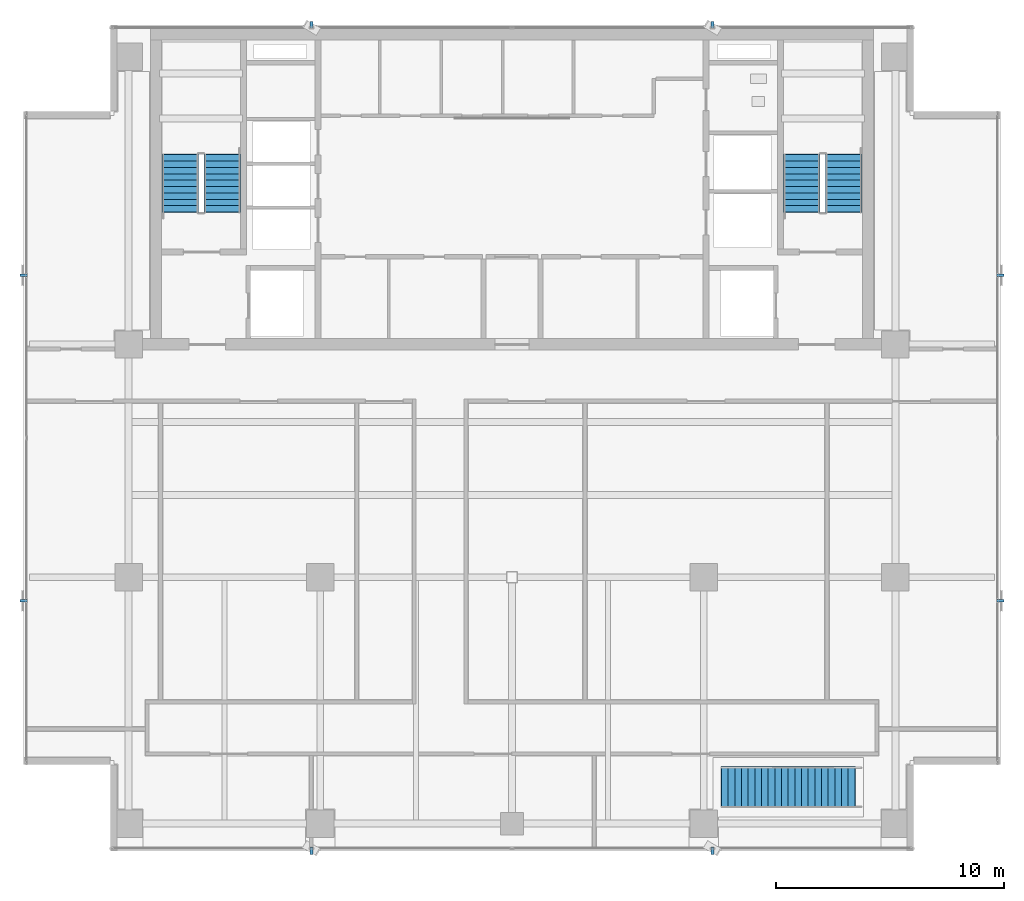
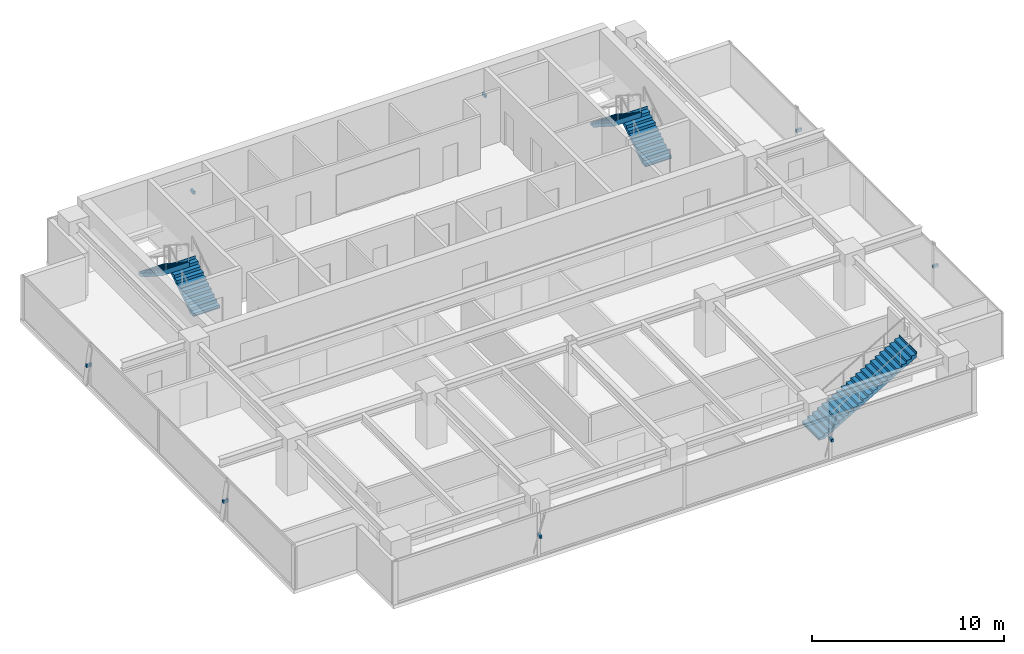
# One storey, part 17 of 22: 8 discrete accessories, 5 stair flights, 3 elements without a shape of their own.
"""IFC4 building model written with IfcOpenShell, lengths in metres."""

from ifc_helpers import new_model, si_unit, direction, frame, origin, origin_2d, place, context, subcontext, project, spatial, polyline, rectangle, outline, extrude, source, transform, mapped, material, material_profile, profile_set, type_object, element, aggregate, save


model = new_model("IFC4")

# Units and contexts
model_context = context("Model", 3, precision=1e-05, world=origin(), true_north=direction((0.0, 1.0)))
body_context = subcontext(model_context, "Body", "Model", "MODEL_VIEW")
ifc_project = project(units=[si_unit("LENGTHUNIT", "METRE"), si_unit("AREAUNIT", "SQUARE_METRE"), si_unit("VOLUMEUNIT", "CUBIC_METRE"), si_unit("PLANEANGLEUNIT", "RADIAN"), si_unit("MASSUNIT", "GRAM", prefix="KILO")], contexts=[model_context])

# Site, building, storey
site_placement = place(None, origin())
site = spatial("IfcSite", under=ifc_project, at=site_placement, CompositionType="ELEMENT")
building_placement = place(site_placement, origin())
building = spatial("IfcBuilding", under=site, at=building_placement, Name="Sumidabori Civic Tower", CompositionType="ELEMENT")
storey_placement = place(building_placement, frame((0.0, 0.0, 286.39990234375)))
storey = spatial("IfcBuildingStorey", under=building, at=storey_placement, Name="L75", CompositionType="ELEMENT", Elevation=286.39990234375)

# Stair, stair flights
ifc_material_1 = material(Name="Concrete C40/50", Category="concrete")
stair_type_1 = type_object("IfcStairType", Name="ST-CORE-1600", PredefinedType="HALF_TURN_STAIR", material=ifc_material_1)
stair_1_placement = place(storey_placement, origin())
stair_1 = element("IfcStair", 1, at=stair_1_placement, inside=storey, type_object=stair_type_1, Name="L75 ST-1", PredefinedType="HALF_TURN_STAIR")
stair_flight_type_1 = type_object("IfcStairFlightType", Name="SF-CORE-1600", PredefinedType="STRAIGHT", material=ifc_material_1)
shared_shape_1 = source(origin(), body_context, "Body", "SweptSolid", [
    extrude(outline(polyline([(-0.02490234375, 0.0), (-0.02490234375, 0.0400390625), (0.0, 0.0400390625), (0.0, 0.179931640625), (0.280029296875, 0.179931640625), (0.280029296875, 0.360107421875), (0.56005859375, 0.360107421875), (0.56005859375, 0.5400390625), (0.840087890625, 0.5400390625), (0.840087890625, 0.719970703125), (1.1201171875, 0.719970703125), (1.1201171875, 0.89990234375), (1.39990234375, 0.89990234375), (1.39990234375, 1.080078125), (1.679931640625, 1.080078125), (1.679931640625, 1.260009765625), (1.9599609375, 1.260009765625), (1.9599609375, 1.43994140625), (2.239990234375, 1.43994140625), (2.239990234375, 1.6201171875), (2.52001953125, 1.6201171875), (2.52001953125, 1.800048828125), (2.544921875, 1.800048828125), (2.544921875, 1.650146484375), (2.52001953125, 1.44189453125), (0.277099609375, 0.0), (-0.02490234375, 0.0)])), frame((0.0, 0.800048828125, 0.0), z_axis=(0.0, -1.0, 0.0), x_axis=(1.0, 0.0, 0.0)), (0.0, 0.0, 1.0), 1.60009765625),
])
stair_flight_1_placement = place(storey_placement, frame((-12.699951171875, 16.0, 0.0), z_axis=(0.0, 0.0, 1.0), x_axis=(0.0, 1.0, 0.0)))
stair_flight_1 = element("IfcStairFlight", 2, at=stair_flight_1_placement, type_object=stair_flight_type_1, Name="ST-1 flight 1", NumberOfRisers=10, NumberOfTreads=9, PredefinedType="STRAIGHT", RiserHeight=0.18, TreadLength=0.28, context=body_context, shape_type="MappedRepresentation", body=[
    mapped(shared_shape_1, transform((0.0, 0.0, 0.0), x_axis=(1.0, 0.0, 0.0), y_axis=(0.0, 1.0, 0.0), z_axis=(0.0, 0.0, 1.0), scale=1.0)),
])
stair_flight_2_placement = place(storey_placement, frame((-14.5400390625, 18.52001953125, 1.800048828125), z_axis=(0.0, 0.0, 1.0), x_axis=(0.0, -1.0, 0.0)))
stair_flight_2 = element("IfcStairFlight", 3, at=stair_flight_2_placement, type_object=stair_flight_type_1, Name="ST-1 flight 2", NumberOfRisers=10, NumberOfTreads=9, PredefinedType="STRAIGHT", RiserHeight=0.18, TreadLength=0.28, context=body_context, shape_type="MappedRepresentation", body=[
    mapped(shared_shape_1, transform((0.0, 0.0, 0.0), x_axis=(1.0, 0.0, 0.0), y_axis=(0.0, 1.0, 0.0), z_axis=(0.0, 0.0, 1.0), scale=1.0)),
])
aggregate(stair_1, [stair_flight_1, stair_flight_2])

stair_2_placement = place(storey_placement, origin())
stair_2 = element("IfcStair", 4, at=stair_2_placement, inside=storey, type_object=stair_type_1, Name="L75 ST-2", PredefinedType="HALF_TURN_STAIR")
stair_flight_3_placement = place(storey_placement, frame((14.5400390625, 16.0, 0.0), z_axis=(0.0, 0.0, 1.0), x_axis=(0.0, 1.0, 0.0)))
stair_flight_3 = element("IfcStairFlight", 5, at=stair_flight_3_placement, type_object=stair_flight_type_1, Name="ST-2 flight 1", NumberOfRisers=10, NumberOfTreads=9, PredefinedType="STRAIGHT", RiserHeight=0.18, TreadLength=0.28, context=body_context, shape_type="MappedRepresentation", body=[
    mapped(shared_shape_1, transform((0.0, 0.0, 0.0), x_axis=(1.0, 0.0, 0.0), y_axis=(0.0, 1.0, 0.0), z_axis=(0.0, 0.0, 1.0), scale=1.0)),
])
stair_flight_4_placement = place(storey_placement, frame((12.699951171875, 18.52001953125, 1.800048828125), z_axis=(0.0, 0.0, 1.0), x_axis=(0.0, -1.0, 0.0)))
stair_flight_4 = element("IfcStairFlight", 6, at=stair_flight_4_placement, type_object=stair_flight_type_1, Name="ST-2 flight 2", NumberOfRisers=10, NumberOfTreads=9, PredefinedType="STRAIGHT", RiserHeight=0.18, TreadLength=0.28, context=body_context, shape_type="MappedRepresentation", body=[
    mapped(shared_shape_1, transform((0.0, 0.0, 0.0), x_axis=(1.0, 0.0, 0.0), y_axis=(0.0, 1.0, 0.0), z_axis=(0.0, 0.0, 1.0), scale=1.0)),
])
aggregate(stair_2, [stair_flight_3, stair_flight_4])

# Stair, stair flight
ifc_material_2 = material(Name="Steel SN490", Category="steel")
stair_type_2 = type_object("IfcStairType", Name="ST-OBS-1800", PredefinedType="STRAIGHT_RUN_STAIR", material=ifc_material_2)
stair_3_placement = place(storey_placement, origin())
stair_3 = element("IfcStair", 7, at=stair_3_placement, inside=storey, type_object=stair_type_2, Name="Feature Stair ST:L75:OBS-DUP", PredefinedType="STRAIGHT_RUN_STAIR")
stair_flight_type_2 = type_object("IfcStairFlightType", Name="SF-OBS-1800", PredefinedType="STRAIGHT", material=ifc_material_2)
shared_shape_2 = source(origin(), body_context, "Body", "SweptSolid", [
    extrude(outline(polyline([(-0.02490234375, 0.0), (-0.02490234375, 0.0400390625), (0.0, 0.0400390625), (0.0, 0.17138671875), (0.2919921875, 0.17138671875), (0.2919921875, 0.3427734375), (0.583984375, 0.3427734375), (0.583984375, 0.514404296875), (0.8759765625, 0.514404296875), (0.8759765625, 0.685791015625), (1.16796875, 0.685791015625), (1.16796875, 0.857177734375), (1.4599609375, 0.857177734375), (1.4599609375, 1.028564453125), (1.751953125, 1.028564453125), (1.751953125, 1.199951171875), (2.0439453125, 1.199951171875), (2.0439453125, 1.371337890625), (2.3359375, 1.371337890625), (2.3359375, 1.54296875), (2.6279296875, 1.54296875), (2.6279296875, 1.71435546875), (2.919921875, 1.71435546875), (2.919921875, 1.8857421875), (3.2119140625, 1.8857421875), (3.2119140625, 2.05712890625), (3.50390625, 2.05712890625), (3.50390625, 2.228515625), (3.7958984375, 2.228515625), (3.7958984375, 2.39990234375), (4.087890625, 2.39990234375), (4.087890625, 2.571533203125), (4.3798828125, 2.571533203125), (4.3798828125, 2.742919921875), (4.672119140625, 2.742919921875), (4.672119140625, 2.914306640625), (4.964111328125, 2.914306640625), (4.964111328125, 3.085693359375), (5.256103515625, 3.085693359375), (5.256103515625, 3.257080078125), (5.548095703125, 3.257080078125), (5.548095703125, 3.428466796875), (5.840087890625, 3.428466796875), (5.840087890625, 3.60009765625), (5.864990234375, 3.60009765625), (5.864990234375, 3.4501953125), (5.840087890625, 3.254638671875), (0.296142578125, 0.0), (-0.02490234375, 0.0)])), frame((0.0, 0.89990234375, 0.0), z_axis=(0.0, -1.0, 0.0), x_axis=(1.0, 0.0, 0.0)), (0.0, 0.0, 1.0), 1.800048828125),
])
stair_flight_5_placement = place(storey_placement, frame((9.179931640625, -9.199951171875, 0.0), z_axis=(0.0, 0.0, 1.0), x_axis=(1.0, 0.0, 0.0)))
stair_flight_5 = element("IfcStairFlight", 8, at=stair_flight_5_placement, type_object=stair_flight_type_2, Name="ST-O1 flight 1", NumberOfRisers=21, NumberOfTreads=20, PredefinedType="STRAIGHT", RiserHeight=0.171428571, TreadLength=0.292, context=body_context, shape_type="MappedRepresentation", body=[
    mapped(shared_shape_2, transform((0.0, 0.0, 0.0), x_axis=(1.0, 0.0, 0.0), y_axis=(0.0, 1.0, 0.0), z_axis=(0.0, 0.0, 1.0), scale=1.0)),
])
aggregate(stair_3, [stair_flight_5])

# Discrete accessories
ifc_material_3 = material(Name="Stainless Steel Hairline Finish", Category="steel")
ifc_material_profile = material_profile(ifc_material_3, rectangle(XDim=0.1201171875, YDim=0.179931640625, at=origin_2d()), Name="STEEL BRACKET 180x120")
ifc_profile_set = profile_set([ifc_material_profile], Name="Stainless Steel Hairline Finish")
discrete_accessory_type = type_object("IfcDiscreteAccessoryType", Name="AC-BRK-180", PredefinedType="BRACKET", material=ifc_profile_set)
shared_shape_3 = source(origin(), body_context, "Body", "SweptSolid", [
    extrude(rectangle(XDim=0.1201171875, YDim=0.179931640625, at=origin_2d()), origin(), (0.0, 0.0, 1.0), 0.329833984375),
])
for number, where, z_axis, x_axis, name in (
    (9, (-8.784912109375, -11.830078125, 1.364990234375), (0.0, -1.0, 0.0), (1.0, 0.0, 0.0), "Bronze Fin Fixing Bracket L75-01"),
    (10, (8.784912109375, -11.830078125, 1.364990234375), (0.0, -1.0, 0.0), (1.0, 0.0, 0.0), "Bronze Fin Fixing Bracket L75-03"),
):
    element("IfcDiscreteAccessory", number, at=place(storey_placement, frame(where, z_axis=z_axis, x_axis=x_axis)), inside=storey, type_object=discrete_accessory_type, Name=name, PredefinedType="BRACKET", context=body_context, shape_type="MappedRepresentation", body=[
        mapped(shared_shape_3, transform((0.0, 0.0, 0.0), x_axis=(1.0, 0.0, 0.0), y_axis=(0.0, 1.0, 0.0), z_axis=(0.0, 0.0, 1.0), scale=1.0)),
    ])
shared_shape_4 = source(origin(), body_context, "Body", "SweptSolid", [
    extrude(rectangle(XDim=0.1201171875, YDim=0.179931640625, at=origin_2d()), origin(), (0.0, 0.0, 1.0), 0.330078125),
])
for number, where, z_axis, x_axis, name in (
    (11, (21.22998046875, -1.034912109375, 1.364990234375), (1.0, 0.0, 0.0), (0.0, 1.0, 0.0), "Bronze Fin Fixing Bracket L75-01"),
    (12, (21.22998046875, 13.235107421875, 1.364990234375), (1.0, 0.0, 0.0), (0.0, 1.0, 0.0), "Bronze Fin Fixing Bracket L75-03"),
    (13, (8.784912109375, 24.030029296875, 1.364990234375), (0.0, 1.0, 0.0), (-1.0, 0.0, 0.0), "Bronze Fin Fixing Bracket L75-01"),
    (14, (-8.784912109375, 24.030029296875, 1.364990234375), (0.0, 1.0, 0.0), (-1.0, 0.0, 0.0), "Bronze Fin Fixing Bracket L75-03"),
    (15, (-21.22998046875, 13.235107421875, 1.364990234375), (-1.0, 0.0, 0.0), (0.0, -1.0, 0.0), "Bronze Fin Fixing Bracket L75-01"),
    (16, (-21.22998046875, -1.034912109375, 1.364990234375), (-1.0, 0.0, 0.0), (0.0, -1.0, 0.0), "Bronze Fin Fixing Bracket L75-03"),
):
    element("IfcDiscreteAccessory", number, at=place(storey_placement, frame(where, z_axis=z_axis, x_axis=x_axis)), inside=storey, type_object=discrete_accessory_type, Name=name, PredefinedType="BRACKET", context=body_context, shape_type="MappedRepresentation", body=[
        mapped(shared_shape_4, transform((0.0, 0.0, 0.0), x_axis=(1.0, 0.0, 0.0), y_axis=(0.0, 1.0, 0.0), z_axis=(0.0, 0.0, 1.0), scale=1.0)),
    ])

save(model, "model.ifc")
